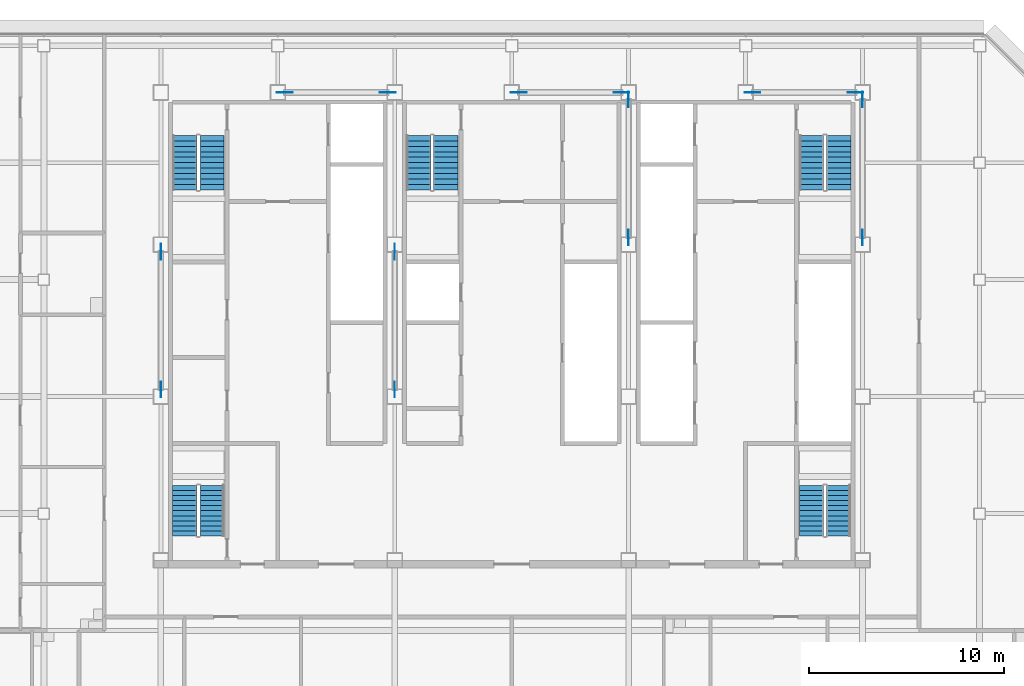
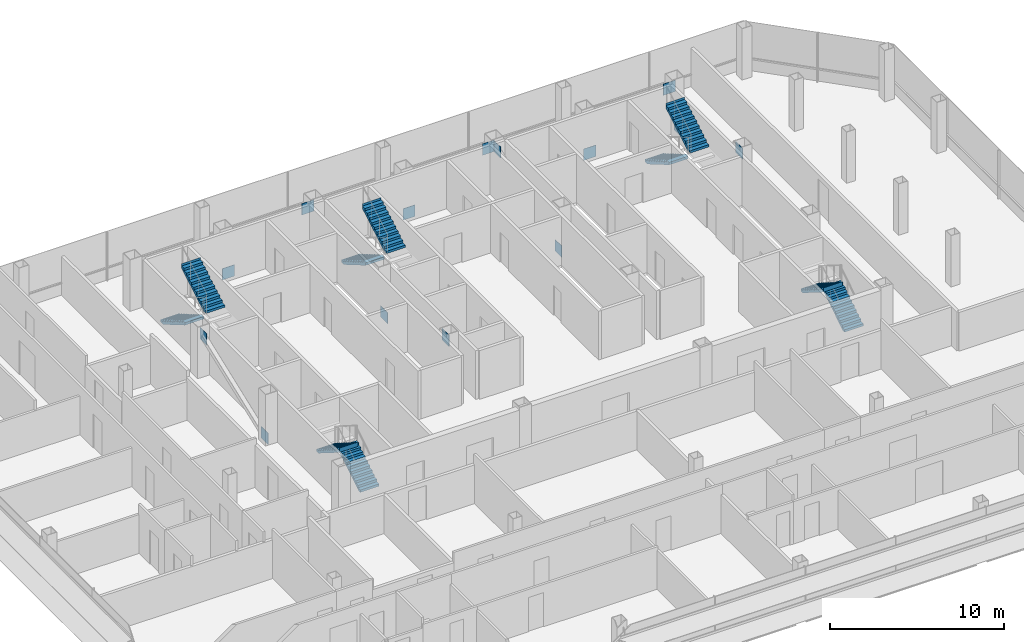
# One storey, part 24 of 26: 14 discrete accessories, 10 stair flights, 5 elements without a shape of their own.
"""IFC4 building model written with IfcOpenShell, lengths in metres."""

from ifc_helpers import new_model, si_unit, direction, frame, origin, origin_2d, place, context, subcontext, project, spatial, polyline, rectangle, outline, extrude, material, layer, layer_set, type_object, element, aggregate, save


model = new_model("IFC4")

# Units and contexts
model_context = context("Model", 3, precision=1e-05, world=origin(), true_north=direction((0.0, 1.0)))
body_context = subcontext(model_context, "Body", "Model", "MODEL_VIEW")
ifc_project = project(units=[si_unit("LENGTHUNIT", "METRE"), si_unit("AREAUNIT", "SQUARE_METRE"), si_unit("VOLUMEUNIT", "CUBIC_METRE"), si_unit("PLANEANGLEUNIT", "RADIAN"), si_unit("MASSUNIT", "GRAM", prefix="KILO")], contexts=[model_context])

# Site, building, storey
site_placement = place(None, origin())
site = spatial("IfcSite", under=ifc_project, at=site_placement, CompositionType="ELEMENT")
building_placement = place(site_placement, origin())
building = spatial("IfcBuilding", under=site, at=building_placement, Name="Sorahane Residences", CompositionType="ELEMENT")
storey_placement = place(building_placement, frame((0.0, 0.0, 222.60009765625)))
storey = spatial("IfcBuildingStorey", under=building, at=storey_placement, Name="L52", CompositionType="ELEMENT", Elevation=222.60009765625)

# Stair, stair flights
ifc_material_1 = material(Name="Concrete C40", Category="concrete")
stair_type = type_object("IfcStairType", Name="Dog-leg stair 1250 Concrete C40", PredefinedType="HALF_TURN_STAIR", material=ifc_material_1)
stair_1_placement = place(storey_placement, origin())
stair_1 = element("IfcStair", 1, at=stair_1_placement, inside=storey, type_object=stair_type, Name="L52 Stair S1", PredefinedType="HALF_TURN_STAIR")
ifc_material_2 = material(Name="Concrete C40", Category="concrete")
stair_flight_type = type_object("IfcStairFlightType", Name="Stair flight 1250 Concrete C40", PredefinedType="STRAIGHT", material=ifc_material_2)
stair_flight_1_placement = place(storey_placement, frame((7.22509765625, 43.39990234375, 0.0), z_axis=(0.0, 0.0, 1.0), x_axis=(0.0, -1.0, 0.0)))
stair_flight_1 = element("IfcStairFlight", 2, at=stair_flight_1_placement, type_object=stair_flight_type, Name="S1 flight 1", NumberOfRisers=11, NumberOfTreads=10, PredefinedType="STRAIGHT", RiserHeight=0.163636364, TreadLength=0.28, context=body_context, shape_type="SweptSolid", body=[
    extrude(outline(polyline([(-0.00146484375, 0.0), (-0.00146484375, 0.16357421875), (0.0, 0.16357421875), (0.280029296875, 0.16357421875), (0.280029296875, 0.327392578125), (0.56005859375, 0.327392578125), (0.56005859375, 0.490966796875), (0.840087890625, 0.490966796875), (0.840087890625, 0.654541015625), (1.1201171875, 0.654541015625), (1.1201171875, 0.818115234375), (1.39990234375, 0.818115234375), (1.39990234375, 0.98193359375), (1.679931640625, 0.98193359375), (1.679931640625, 1.1455078125), (1.9599609375, 1.1455078125), (1.9599609375, 1.30908203125), (2.239990234375, 1.30908203125), (2.239990234375, 1.47265625), (2.52001953125, 1.47265625), (2.52001953125, 1.636474609375), (2.800048828125, 1.636474609375), (2.800048828125, 1.800048828125), (2.800048828125, 1.462646484375), (2.59130859375, 1.3408203125), (2.3828125, 1.218994140625), (2.17431640625, 1.09716796875), (1.965576171875, 0.97509765625), (1.757080078125, 0.853271484375), (1.548583984375, 0.7314453125), (1.340087890625, 0.609375), (1.13134765625, 0.487548828125), (0.9228515625, 0.36572265625), (0.71435546875, 0.243896484375), (0.505615234375, 0.121826171875), (0.297119140625, 0.0), (-0.00146484375, 0.0)])), frame((0.0, 0.625, 0.0), z_axis=(0.0, -1.0, 0.0), x_axis=(1.0, 0.0, 0.0)), (0.0, 0.0, 1.0), 1.25),
])
stair_flight_2_placement = place(storey_placement, frame((8.625, 40.60009765625, 1.7998046875), z_axis=(0.0, 0.0, 1.0), x_axis=(0.0, 1.0, 0.0)))
stair_flight_2 = element("IfcStairFlight", 3, at=stair_flight_2_placement, type_object=stair_flight_type, Name="S1 flight 2", NumberOfRisers=11, NumberOfTreads=10, PredefinedType="STRAIGHT", RiserHeight=0.163636364, TreadLength=0.28, context=body_context, shape_type="SweptSolid", body=[
    extrude(outline(polyline([(0.0, 0.0), (0.0, 0.16357421875), (0.280029296875, 0.16357421875), (0.280029296875, 0.327392578125), (0.56005859375, 0.327392578125), (0.56005859375, 0.490966796875), (0.840087890625, 0.490966796875), (0.840087890625, 0.654541015625), (1.1201171875, 0.654541015625), (1.1201171875, 0.818115234375), (1.39990234375, 0.818115234375), (1.39990234375, 0.98193359375), (1.679931640625, 0.98193359375), (1.679931640625, 1.1455078125), (1.9599609375, 1.1455078125), (1.9599609375, 1.30908203125), (2.239990234375, 1.30908203125), (2.239990234375, 1.47265625), (2.52001953125, 1.47265625), (2.52001953125, 1.636474609375), (2.800048828125, 1.636474609375), (2.800048828125, 1.800048828125), (2.801513671875, 1.800048828125), (2.801513671875, 1.462646484375), (2.5927734375, 1.3408203125), (2.384033203125, 1.218994140625), (2.17529296875, 1.09716796875), (1.966796875, 0.97509765625), (1.758056640625, 0.853271484375), (1.54931640625, 0.7314453125), (1.340576171875, 0.609375), (1.1318359375, 0.487548828125), (0.923095703125, 0.36572265625), (0.714599609375, 0.243896484375), (0.505859375, 0.121826171875), (0.297119140625, 0.0), (0.0, 0.0)])), frame((0.0, 0.625, 0.0), z_axis=(0.0, -1.0, 0.0), x_axis=(1.0, 0.0, 0.0)), (0.0, 0.0, 1.0), 1.25),
])
aggregate(stair_1, [stair_flight_1, stair_flight_2])

stair_2_placement = place(storey_placement, origin())
stair_2 = element("IfcStair", 4, at=stair_2_placement, inside=storey, type_object=stair_type, Name="L52 Stair S2", PredefinedType="HALF_TURN_STAIR")
stair_flight_3_placement = place(storey_placement, frame((39.375, 43.39990234375, 0.0), z_axis=(0.0, 0.0, 1.0), x_axis=(0.0, -1.0, 0.0)))
stair_flight_3 = element("IfcStairFlight", 5, at=stair_flight_3_placement, type_object=stair_flight_type, Name="S2 flight 1", NumberOfRisers=11, NumberOfTreads=10, PredefinedType="STRAIGHT", RiserHeight=0.163636364, TreadLength=0.28, context=body_context, shape_type="SweptSolid", body=[
    extrude(outline(polyline([(-0.00146484375, 0.0), (-0.00146484375, 0.16357421875), (0.0, 0.16357421875), (0.280029296875, 0.16357421875), (0.280029296875, 0.327392578125), (0.56005859375, 0.327392578125), (0.56005859375, 0.490966796875), (0.840087890625, 0.490966796875), (0.840087890625, 0.654541015625), (1.1201171875, 0.654541015625), (1.1201171875, 0.818115234375), (1.39990234375, 0.818115234375), (1.39990234375, 0.98193359375), (1.679931640625, 0.98193359375), (1.679931640625, 1.1455078125), (1.9599609375, 1.1455078125), (1.9599609375, 1.30908203125), (2.239990234375, 1.30908203125), (2.239990234375, 1.47265625), (2.52001953125, 1.47265625), (2.52001953125, 1.636474609375), (2.800048828125, 1.636474609375), (2.800048828125, 1.800048828125), (2.800048828125, 1.462646484375), (2.59130859375, 1.3408203125), (2.3828125, 1.218994140625), (2.17431640625, 1.09716796875), (1.965576171875, 0.97509765625), (1.757080078125, 0.853271484375), (1.548583984375, 0.7314453125), (1.340087890625, 0.609375), (1.13134765625, 0.487548828125), (0.9228515625, 0.36572265625), (0.71435546875, 0.243896484375), (0.505615234375, 0.121826171875), (0.297119140625, 0.0), (-0.00146484375, 0.0)])), frame((0.0, 0.625, 0.0), z_axis=(0.0, -1.0, 0.0), x_axis=(1.0, 0.0, 0.0)), (0.0, 0.0, 1.0), 1.25),
])
stair_flight_4_placement = place(storey_placement, frame((40.77490234375, 40.60009765625, 1.7998046875), z_axis=(0.0, 0.0, 1.0), x_axis=(0.0, 1.0, 0.0)))
stair_flight_4 = element("IfcStairFlight", 6, at=stair_flight_4_placement, type_object=stair_flight_type, Name="S2 flight 2", NumberOfRisers=11, NumberOfTreads=10, PredefinedType="STRAIGHT", RiserHeight=0.163636364, TreadLength=0.28, context=body_context, shape_type="SweptSolid", body=[
    extrude(outline(polyline([(0.0, 0.0), (0.0, 0.16357421875), (0.280029296875, 0.16357421875), (0.280029296875, 0.327392578125), (0.56005859375, 0.327392578125), (0.56005859375, 0.490966796875), (0.840087890625, 0.490966796875), (0.840087890625, 0.654541015625), (1.1201171875, 0.654541015625), (1.1201171875, 0.818115234375), (1.39990234375, 0.818115234375), (1.39990234375, 0.98193359375), (1.679931640625, 0.98193359375), (1.679931640625, 1.1455078125), (1.9599609375, 1.1455078125), (1.9599609375, 1.30908203125), (2.239990234375, 1.30908203125), (2.239990234375, 1.47265625), (2.52001953125, 1.47265625), (2.52001953125, 1.636474609375), (2.800048828125, 1.636474609375), (2.800048828125, 1.800048828125), (2.801513671875, 1.800048828125), (2.801513671875, 1.462646484375), (2.5927734375, 1.3408203125), (2.384033203125, 1.218994140625), (2.17529296875, 1.09716796875), (1.966796875, 0.97509765625), (1.758056640625, 0.853271484375), (1.54931640625, 0.7314453125), (1.340576171875, 0.609375), (1.1318359375, 0.487548828125), (0.923095703125, 0.36572265625), (0.714599609375, 0.243896484375), (0.505859375, 0.121826171875), (0.297119140625, 0.0), (0.0, 0.0)])), frame((0.0, 0.625, 0.0), z_axis=(0.0, -1.0, 0.0), x_axis=(1.0, 0.0, 0.0)), (0.0, 0.0, 1.0), 1.25),
])
aggregate(stair_2, [stair_flight_3, stair_flight_4])

stair_3_placement = place(storey_placement, origin())
stair_3 = element("IfcStair", 7, at=stair_3_placement, inside=storey, type_object=stair_type, Name="L52 Stair S3", PredefinedType="HALF_TURN_STAIR")
stair_flight_5_placement = place(storey_placement, frame((19.22509765625, 43.39990234375, 0.0), z_axis=(0.0, 0.0, 1.0), x_axis=(0.0, -1.0, 0.0)))
stair_flight_5 = element("IfcStairFlight", 8, at=stair_flight_5_placement, type_object=stair_flight_type, Name="S3 flight 1", NumberOfRisers=11, NumberOfTreads=10, PredefinedType="STRAIGHT", RiserHeight=0.163636364, TreadLength=0.28, context=body_context, shape_type="SweptSolid", body=[
    extrude(outline(polyline([(-0.00146484375, 0.0), (-0.00146484375, 0.16357421875), (0.0, 0.16357421875), (0.280029296875, 0.16357421875), (0.280029296875, 0.327392578125), (0.56005859375, 0.327392578125), (0.56005859375, 0.490966796875), (0.840087890625, 0.490966796875), (0.840087890625, 0.654541015625), (1.1201171875, 0.654541015625), (1.1201171875, 0.818115234375), (1.39990234375, 0.818115234375), (1.39990234375, 0.98193359375), (1.679931640625, 0.98193359375), (1.679931640625, 1.1455078125), (1.9599609375, 1.1455078125), (1.9599609375, 1.30908203125), (2.239990234375, 1.30908203125), (2.239990234375, 1.47265625), (2.52001953125, 1.47265625), (2.52001953125, 1.636474609375), (2.800048828125, 1.636474609375), (2.800048828125, 1.800048828125), (2.800048828125, 1.462646484375), (2.59130859375, 1.3408203125), (2.3828125, 1.218994140625), (2.17431640625, 1.09716796875), (1.965576171875, 0.97509765625), (1.757080078125, 0.853271484375), (1.548583984375, 0.7314453125), (1.340087890625, 0.609375), (1.13134765625, 0.487548828125), (0.9228515625, 0.36572265625), (0.71435546875, 0.243896484375), (0.505615234375, 0.121826171875), (0.297119140625, 0.0), (-0.00146484375, 0.0)])), frame((0.0, 0.625, 0.0), z_axis=(0.0, -1.0, 0.0), x_axis=(1.0, 0.0, 0.0)), (0.0, 0.0, 1.0), 1.25),
])
stair_flight_6_placement = place(storey_placement, frame((20.625, 40.60009765625, 1.7998046875), z_axis=(0.0, 0.0, 1.0), x_axis=(0.0, 1.0, 0.0)))
stair_flight_6 = element("IfcStairFlight", 9, at=stair_flight_6_placement, type_object=stair_flight_type, Name="S3 flight 2", NumberOfRisers=11, NumberOfTreads=10, PredefinedType="STRAIGHT", RiserHeight=0.163636364, TreadLength=0.28, context=body_context, shape_type="SweptSolid", body=[
    extrude(outline(polyline([(0.0, 0.0), (0.0, 0.16357421875), (0.280029296875, 0.16357421875), (0.280029296875, 0.327392578125), (0.56005859375, 0.327392578125), (0.56005859375, 0.490966796875), (0.840087890625, 0.490966796875), (0.840087890625, 0.654541015625), (1.1201171875, 0.654541015625), (1.1201171875, 0.818115234375), (1.39990234375, 0.818115234375), (1.39990234375, 0.98193359375), (1.679931640625, 0.98193359375), (1.679931640625, 1.1455078125), (1.9599609375, 1.1455078125), (1.9599609375, 1.30908203125), (2.239990234375, 1.30908203125), (2.239990234375, 1.47265625), (2.52001953125, 1.47265625), (2.52001953125, 1.636474609375), (2.800048828125, 1.636474609375), (2.800048828125, 1.800048828125), (2.801513671875, 1.800048828125), (2.801513671875, 1.462646484375), (2.5927734375, 1.3408203125), (2.384033203125, 1.218994140625), (2.17529296875, 1.09716796875), (1.966796875, 0.97509765625), (1.758056640625, 0.853271484375), (1.54931640625, 0.7314453125), (1.340576171875, 0.609375), (1.1318359375, 0.487548828125), (0.923095703125, 0.36572265625), (0.714599609375, 0.243896484375), (0.505859375, 0.121826171875), (0.297119140625, 0.0), (0.0, 0.0)])), frame((0.0, 0.625, 0.0), z_axis=(0.0, -1.0, 0.0), x_axis=(1.0, 0.0, 0.0)), (0.0, 0.0, 1.0), 1.25),
])
aggregate(stair_3, [stair_flight_5, stair_flight_6])

stair_4_placement = place(storey_placement, origin())
stair_4 = element("IfcStair", 10, at=stair_4_placement, inside=storey, type_object=stair_type, Name="L52 Stair S4", PredefinedType="HALF_TURN_STAIR")
stair_flight_7_placement = place(storey_placement, frame((8.625, 22.85009765625, 0.0), z_axis=(0.0, 0.0, 1.0), x_axis=(0.0, 1.0, 0.0)))
stair_flight_7 = element("IfcStairFlight", 11, at=stair_flight_7_placement, type_object=stair_flight_type, Name="S4 flight 1", NumberOfRisers=11, NumberOfTreads=10, PredefinedType="STRAIGHT", RiserHeight=0.163636364, TreadLength=0.26, context=body_context, shape_type="SweptSolid", body=[
    extrude(outline(polyline([(-0.00146484375, 0.0), (-0.00146484375, 0.16357421875), (0.0, 0.16357421875), (0.260009765625, 0.16357421875), (0.260009765625, 0.327392578125), (0.52001953125, 0.327392578125), (0.52001953125, 0.490966796875), (0.780029296875, 0.490966796875), (0.780029296875, 0.654541015625), (1.0400390625, 0.654541015625), (1.0400390625, 0.818115234375), (1.300048828125, 0.818115234375), (1.300048828125, 0.98193359375), (1.56005859375, 0.98193359375), (1.56005859375, 1.1455078125), (1.820068359375, 1.1455078125), (1.820068359375, 1.30908203125), (2.080078125, 1.30908203125), (2.080078125, 1.47265625), (2.340087890625, 1.47265625), (2.340087890625, 1.636474609375), (2.60009765625, 1.636474609375), (2.60009765625, 1.800048828125), (2.60009765625, 1.494384765625), (2.402099609375, 1.369873046875), (2.204345703125, 1.245361328125), (2.00634765625, 1.120849609375), (1.80859375, 0.996337890625), (1.610595703125, 0.871826171875), (1.412841796875, 0.747314453125), (1.21484375, 0.622802734375), (1.01708984375, 0.498046875), (0.819091796875, 0.37353515625), (0.621337890625, 0.2490234375), (0.42333984375, 0.12451171875), (0.2255859375, 0.0), (-0.00146484375, 0.0)])), frame((0.0, 0.625, 0.0), z_axis=(0.0, -1.0, 0.0), x_axis=(1.0, 0.0, 0.0)), (0.0, 0.0, 1.0), 1.25),
])
stair_flight_8_placement = place(storey_placement, frame((7.22509765625, 25.449951171875, 1.7998046875), z_axis=(0.0, 0.0, 1.0), x_axis=(0.0, -1.0, 0.0)))
stair_flight_8 = element("IfcStairFlight", 12, at=stair_flight_8_placement, type_object=stair_flight_type, Name="S4 flight 2", NumberOfRisers=11, NumberOfTreads=10, PredefinedType="STRAIGHT", RiserHeight=0.163636364, TreadLength=0.26, context=body_context, shape_type="SweptSolid", body=[
    extrude(outline(polyline([(0.0, 0.0), (0.0, 0.16357421875), (0.260009765625, 0.16357421875), (0.260009765625, 0.327392578125), (0.52001953125, 0.327392578125), (0.52001953125, 0.490966796875), (0.780029296875, 0.490966796875), (0.780029296875, 0.654541015625), (1.0400390625, 0.654541015625), (1.0400390625, 0.818115234375), (1.300048828125, 0.818115234375), (1.300048828125, 0.98193359375), (1.56005859375, 0.98193359375), (1.56005859375, 1.1455078125), (1.820068359375, 1.1455078125), (1.820068359375, 1.30908203125), (2.080078125, 1.30908203125), (2.080078125, 1.47265625), (2.340087890625, 1.47265625), (2.340087890625, 1.636474609375), (2.60009765625, 1.636474609375), (2.60009765625, 1.800048828125), (2.6015625, 1.800048828125), (2.6015625, 1.494384765625), (2.403564453125, 1.369873046875), (2.20556640625, 1.245361328125), (2.007568359375, 1.120849609375), (1.8095703125, 0.996337890625), (1.611572265625, 0.871826171875), (1.41357421875, 0.747314453125), (1.215576171875, 0.622802734375), (1.017578125, 0.498046875), (0.819580078125, 0.37353515625), (0.62158203125, 0.2490234375), (0.423583984375, 0.12451171875), (0.2255859375, 0.0), (0.0, 0.0)])), frame((0.0, 0.625, 0.0), z_axis=(0.0, -1.0, 0.0), x_axis=(1.0, 0.0, 0.0)), (0.0, 0.0, 1.0), 1.25),
])
aggregate(stair_4, [stair_flight_7, stair_flight_8])

stair_5_placement = place(storey_placement, origin())
stair_5 = element("IfcStair", 13, at=stair_5_placement, inside=storey, type_object=stair_type, Name="L52 Stair S5", PredefinedType="HALF_TURN_STAIR")
stair_flight_9_placement = place(storey_placement, frame((40.77490234375, 22.85009765625, 0.0), z_axis=(0.0, 0.0, 1.0), x_axis=(0.0, 1.0, 0.0)))
stair_flight_9 = element("IfcStairFlight", 14, at=stair_flight_9_placement, type_object=stair_flight_type, Name="S5 flight 1", NumberOfRisers=11, NumberOfTreads=10, PredefinedType="STRAIGHT", RiserHeight=0.163636364, TreadLength=0.26, context=body_context, shape_type="SweptSolid", body=[
    extrude(outline(polyline([(-0.00146484375, 0.0), (-0.00146484375, 0.16357421875), (0.0, 0.16357421875), (0.260009765625, 0.16357421875), (0.260009765625, 0.327392578125), (0.52001953125, 0.327392578125), (0.52001953125, 0.490966796875), (0.780029296875, 0.490966796875), (0.780029296875, 0.654541015625), (1.0400390625, 0.654541015625), (1.0400390625, 0.818115234375), (1.300048828125, 0.818115234375), (1.300048828125, 0.98193359375), (1.56005859375, 0.98193359375), (1.56005859375, 1.1455078125), (1.820068359375, 1.1455078125), (1.820068359375, 1.30908203125), (2.080078125, 1.30908203125), (2.080078125, 1.47265625), (2.340087890625, 1.47265625), (2.340087890625, 1.636474609375), (2.60009765625, 1.636474609375), (2.60009765625, 1.800048828125), (2.60009765625, 1.494384765625), (2.402099609375, 1.369873046875), (2.204345703125, 1.245361328125), (2.00634765625, 1.120849609375), (1.80859375, 0.996337890625), (1.610595703125, 0.871826171875), (1.412841796875, 0.747314453125), (1.21484375, 0.622802734375), (1.01708984375, 0.498046875), (0.819091796875, 0.37353515625), (0.621337890625, 0.2490234375), (0.42333984375, 0.12451171875), (0.2255859375, 0.0), (-0.00146484375, 0.0)])), frame((0.0, 0.625, 0.0), z_axis=(0.0, -1.0, 0.0), x_axis=(1.0, 0.0, 0.0)), (0.0, 0.0, 1.0), 1.25),
])
stair_flight_10_placement = place(storey_placement, frame((39.375, 25.449951171875, 1.7998046875), z_axis=(0.0, 0.0, 1.0), x_axis=(0.0, -1.0, 0.0)))
stair_flight_10 = element("IfcStairFlight", 15, at=stair_flight_10_placement, type_object=stair_flight_type, Name="S5 flight 2", NumberOfRisers=11, NumberOfTreads=10, PredefinedType="STRAIGHT", RiserHeight=0.163636364, TreadLength=0.26, context=body_context, shape_type="SweptSolid", body=[
    extrude(outline(polyline([(0.0, 0.0), (0.0, 0.16357421875), (0.260009765625, 0.16357421875), (0.260009765625, 0.327392578125), (0.52001953125, 0.327392578125), (0.52001953125, 0.490966796875), (0.780029296875, 0.490966796875), (0.780029296875, 0.654541015625), (1.0400390625, 0.654541015625), (1.0400390625, 0.818115234375), (1.300048828125, 0.818115234375), (1.300048828125, 0.98193359375), (1.56005859375, 0.98193359375), (1.56005859375, 1.1455078125), (1.820068359375, 1.1455078125), (1.820068359375, 1.30908203125), (2.080078125, 1.30908203125), (2.080078125, 1.47265625), (2.340087890625, 1.47265625), (2.340087890625, 1.636474609375), (2.60009765625, 1.636474609375), (2.60009765625, 1.800048828125), (2.6015625, 1.800048828125), (2.6015625, 1.494384765625), (2.403564453125, 1.369873046875), (2.20556640625, 1.245361328125), (2.007568359375, 1.120849609375), (1.8095703125, 0.996337890625), (1.611572265625, 0.871826171875), (1.41357421875, 0.747314453125), (1.215576171875, 0.622802734375), (1.017578125, 0.498046875), (0.819580078125, 0.37353515625), (0.62158203125, 0.2490234375), (0.423583984375, 0.12451171875), (0.2255859375, 0.0), (0.0, 0.0)])), frame((0.0, 0.625, 0.0), z_axis=(0.0, -1.0, 0.0), x_axis=(1.0, 0.0, 0.0)), (0.0, 0.0, 1.0), 1.25),
])
aggregate(stair_5, [stair_flight_9, stair_flight_10])

# Discrete accessories
ifc_material_3 = material(Name="Steel Q355B", Category="steel")
ifc_layer = layer(ifc_material_3, 0.02490234375)
ifc_layer_set = layer_set([ifc_layer], Name="Node plate Steel Q355B 25")
discrete_accessory_type = type_object("IfcDiscreteAccessoryType", Name="Node plate Steel Q355B 25", PredefinedType="BRACKET", material=ifc_layer_set)
for number, where, z_axis, x_axis, name in (
    (16, (6.0, 30.367919921875, -0.26220703125), (0.0, 0.0, 1.0), (0.0, 1.0, 0.0), "Node plate L52 br"),
    (17, (6.0, 37.43212890625, 2.43212890625), (0.0, 0.0, 1.0), (0.0, 1.0, 0.0), "Node plate L52 br"),
    (18, (18.0, 37.43212890625, -0.26220703125), (0.0, 0.0, 1.0), (0.0, 1.0, 0.0), "Node plate L52 br"),
    (19, (18.0, 30.367919921875, 2.43212890625), (0.0, 0.0, 1.0), (0.0, 1.0, 0.0), "Node plate L52 br"),
    (20, (30.0, 38.16796875, -0.26220703125), (0.0, 0.0, 1.0), (0.0, 1.0, 0.0), "Node plate L52 br"),
    (21, (30.0, 45.232177734375, 2.43212890625), (0.0, 0.0, 1.0), (0.0, 1.0, 0.0), "Node plate L52 br"),
    (22, (42.0, 45.232177734375, -0.26220703125), (0.0, 0.0, 1.0), (0.0, 1.0, 0.0), "Node plate L52 br"),
    (23, (42.0, 38.16796875, 2.43212890625), (0.0, 0.0, 1.0), (0.0, 1.0, 0.0), "Node plate L52 br"),
    (24, (12.35888671875, 45.60009765625, -0.27099609375), (0.0, 0.0, 1.0), (1.0, 0.0, 0.0), "Node plate L52 br"),
    (25, (24.35888671875, 45.60009765625, -0.27099609375), (0.0, 0.0, 1.0), (1.0, 0.0, 0.0), "Node plate L52 br"),
    (26, (36.35888671875, 45.60009765625, -0.27099609375), (0.0, 0.0, 1.0), (1.0, 0.0, 0.0), "Node plate L52 br"),
    (27, (17.64111328125, 45.60009765625, 2.44091796875), (0.0, 0.0, 1.0), (1.0, 0.0, 0.0), "Node plate L52 br"),
    (28, (29.64111328125, 45.60009765625, 2.44091796875), (0.0, 0.0, 1.0), (1.0, 0.0, 0.0), "Node plate L52 br"),
    (29, (41.64111328125, 45.60009765625, 2.44091796875), (0.0, 0.0, 1.0), (1.0, 0.0, 0.0), "Node plate L52 br"),
):
    element("IfcDiscreteAccessory", number, at=place(storey_placement, frame(where, z_axis=z_axis, x_axis=x_axis)), inside=storey, type_object=discrete_accessory_type, Name=name, PredefinedType="BRACKET", context=body_context, shape_type="SweptSolid", body=[
        extrude(rectangle(XDim=0.800048828125, YDim=0.02490234375, at=origin_2d()), origin(), (0.0, 0.0, 1.0), 0.800048828125),
    ])

save(model, "model.ifc")
